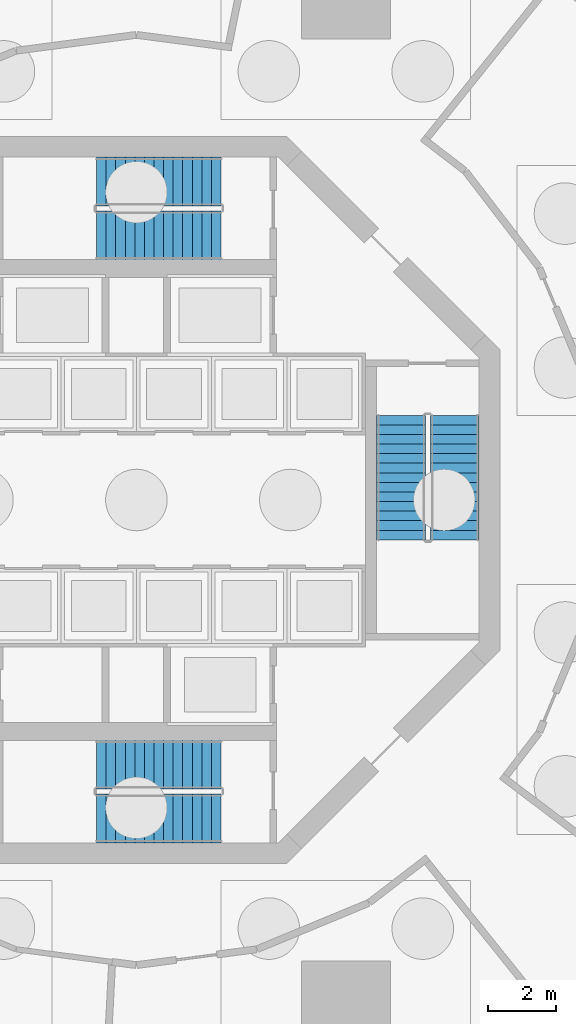
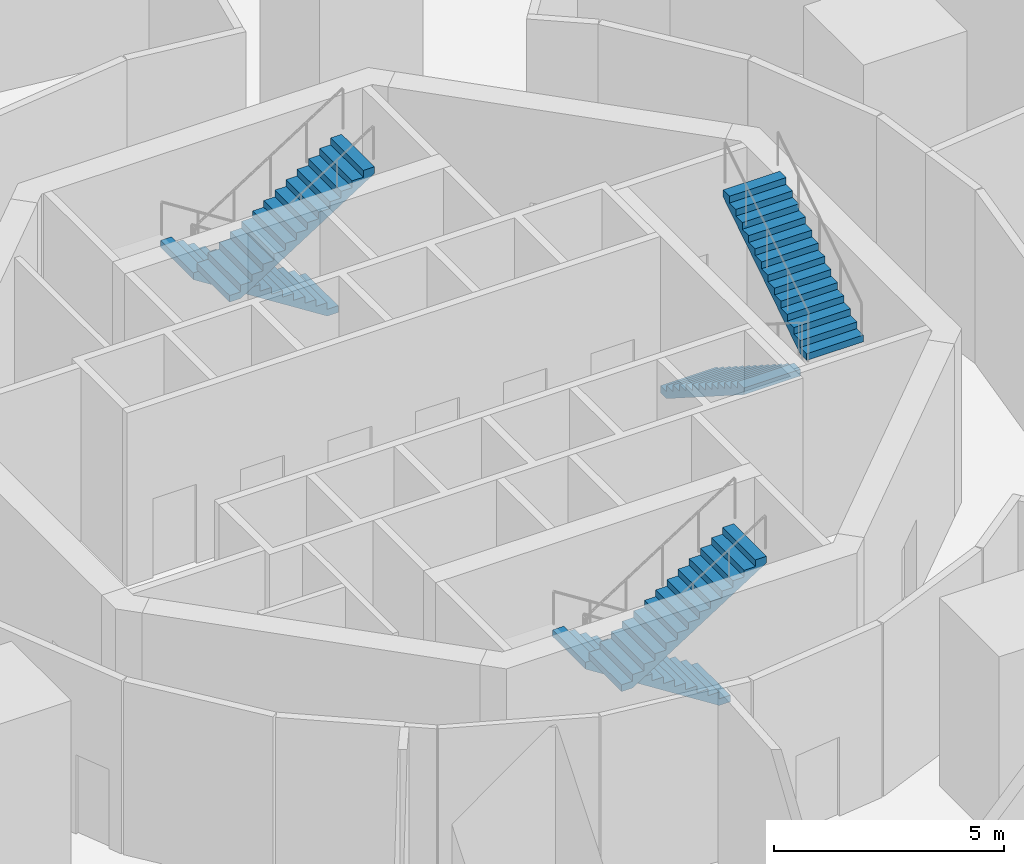
# One storey, part 11 of 14: 6 stair flights, 3 elements without a shape of their own.
"""IFC4 building model written with IfcOpenShell, lengths in metres."""

from ifc_helpers import new_model, si_unit, direction, frame, origin, place, context, subcontext, project, spatial, polyline, outline, extrude, material, type_object, element, aggregate, save


model = new_model("IFC4")

# Units and contexts
model_context = context("Model", 3, precision=1e-05, world=origin(), true_north=direction((0.0, 1.0)))
body_context = subcontext(model_context, "Body", "Model", "MODEL_VIEW")
ifc_project = project(units=[si_unit("LENGTHUNIT", "METRE"), si_unit("AREAUNIT", "SQUARE_METRE"), si_unit("VOLUMEUNIT", "CUBIC_METRE"), si_unit("PLANEANGLEUNIT", "RADIAN"), si_unit("MASSUNIT", "GRAM", prefix="KILO")], contexts=[model_context])

# Site, building, storey
site_placement = place(None, origin())
site = spatial("IfcSite", under=ifc_project, at=site_placement, CompositionType="ELEMENT")
building_placement = place(site_placement, origin())
building = spatial("IfcBuilding", under=site, at=building_placement, Name="Nagisa Residences", CompositionType="ELEMENT")
storey_placement = place(building_placement, frame((0.0, 0.0, -10.0)))
storey = spatial("IfcBuildingStorey", under=building, at=storey_placement, Name="B2", CompositionType="ELEMENT", Elevation=-10.0)

# Stair, stair flights
ifc_material_1 = material(Name="Concrete C60", Category="concrete")
stair_type = type_object("IfcStairType", Name="Exit stair", PredefinedType="HALF_TURN_STAIR", material=ifc_material_1)
stair_1_placement = place(storey_placement, origin())
stair_1 = element("IfcStair", 1, at=stair_1_placement, inside=storey, type_object=stair_type, Name="B2 Exit stair E", PredefinedType="HALF_TURN_STAIR")
ifc_material_2 = material(Name="Concrete C60", Category="concrete")
stair_flight_type = type_object("IfcStairFlightType", Name="Exit stair flight", PredefinedType="STRAIGHT", material=ifc_material_2)
stair_flight_1_placement = place(storey_placement, frame((7.737060546875, 2.47509765625, 0.0), z_axis=(0.0, 0.0, 1.0), x_axis=(0.0, -1.0, 0.0)))
stair_flight_1 = element("IfcStairFlight", 2, at=stair_flight_1_placement, type_object=stair_flight_type, Name="ST-E flight 1", NumberOfRisers=14, NumberOfTreads=13, PredefinedType="STRAIGHT", RiserHeight=0.178571429, TreadLength=0.28, context=body_context, shape_type="SweptSolid", body=[
    extrude(outline(polyline([(0.0, 0.0), (0.0, 0.178466796875), (0.280029296875, 0.178466796875), (0.280029296875, 0.357177734375), (0.56005859375, 0.357177734375), (0.56005859375, 0.53564453125), (0.840087890625, 0.53564453125), (0.840087890625, 0.71435546875), (1.1201171875, 0.71435546875), (1.1201171875, 0.892822265625), (1.39990234375, 0.892822265625), (1.39990234375, 1.071533203125), (1.679931640625, 1.071533203125), (1.679931640625, 1.25), (1.9599609375, 1.25), (1.9599609375, 1.428466796875), (2.239990234375, 1.428466796875), (2.239990234375, 1.607177734375), (2.52001953125, 1.607177734375), (2.52001953125, 1.78564453125), (2.800048828125, 1.78564453125), (2.800048828125, 1.96435546875), (3.080078125, 1.96435546875), (3.080078125, 2.142822265625), (3.360107421875, 2.142822265625), (3.360107421875, 2.321533203125), (3.639892578125, 2.321533203125), (3.639892578125, 2.5), (3.639892578125, 2.1435546875), (0.27880859375, 0.0), (0.0, 0.0)])), frame((0.0, 0.71240234375, 0.0), z_axis=(0.0, -1.0, 0.0), x_axis=(1.0, 0.0, 0.0)), (0.0, 0.0, 1.0), 1.425048828125),
])
stair_flight_2_placement = place(storey_placement, frame((9.31201171875, -1.1650390625, 2.5), z_axis=(0.0, 0.0, 1.0), x_axis=(0.0, 1.0, 0.0)))
stair_flight_2 = element("IfcStairFlight", 3, at=stair_flight_2_placement, type_object=stair_flight_type, Name="ST-E flight 2", NumberOfRisers=14, NumberOfTreads=13, PredefinedType="STRAIGHT", RiserHeight=0.178571429, TreadLength=0.28, context=body_context, shape_type="SweptSolid", body=[
    extrude(outline(polyline([(0.0, 0.0), (0.0, 0.178466796875), (0.280029296875, 0.178466796875), (0.280029296875, 0.357177734375), (0.56005859375, 0.357177734375), (0.56005859375, 0.53564453125), (0.840087890625, 0.53564453125), (0.840087890625, 0.71435546875), (1.1201171875, 0.71435546875), (1.1201171875, 0.892822265625), (1.39990234375, 0.892822265625), (1.39990234375, 1.071533203125), (1.679931640625, 1.071533203125), (1.679931640625, 1.25), (1.9599609375, 1.25), (1.9599609375, 1.428466796875), (2.239990234375, 1.428466796875), (2.239990234375, 1.607177734375), (2.52001953125, 1.607177734375), (2.52001953125, 1.78564453125), (2.800048828125, 1.78564453125), (2.800048828125, 1.96435546875), (3.080078125, 1.96435546875), (3.080078125, 2.142822265625), (3.360107421875, 2.142822265625), (3.360107421875, 2.321533203125), (3.639892578125, 2.321533203125), (3.639892578125, 2.5), (3.639892578125, 2.1435546875), (0.27880859375, 0.0), (0.0, 0.0)])), frame((0.0, 0.71240234375, 0.0), z_axis=(0.0, -1.0, 0.0), x_axis=(1.0, 0.0, 0.0)), (0.0, 0.0, 1.0), 1.425048828125),
])
aggregate(stair_1, [stair_flight_1, stair_flight_2])

stair_2_placement = place(storey_placement, origin())
stair_2 = element("IfcStair", 4, at=stair_2_placement, inside=storey, type_object=stair_type, Name="B2 Exit stair N", PredefinedType="HALF_TURN_STAIR")
stair_flight_3_placement = place(storey_placement, frame((2.47509765625, 9.31201171875, 0.0), z_axis=(0.0, 0.0, 1.0), x_axis=(-1.0, 0.0, 0.0)))
stair_flight_3 = element("IfcStairFlight", 5, at=stair_flight_3_placement, type_object=stair_flight_type, Name="ST-N flight 1", NumberOfRisers=14, NumberOfTreads=13, PredefinedType="STRAIGHT", RiserHeight=0.178571429, TreadLength=0.28, context=body_context, shape_type="SweptSolid", body=[
    extrude(outline(polyline([(0.0, 0.0), (0.0, 0.178466796875), (0.280029296875, 0.178466796875), (0.280029296875, 0.357177734375), (0.56005859375, 0.357177734375), (0.56005859375, 0.53564453125), (0.840087890625, 0.53564453125), (0.840087890625, 0.71435546875), (1.1201171875, 0.71435546875), (1.1201171875, 0.892822265625), (1.39990234375, 0.892822265625), (1.39990234375, 1.071533203125), (1.679931640625, 1.071533203125), (1.679931640625, 1.25), (1.9599609375, 1.25), (1.9599609375, 1.428466796875), (2.239990234375, 1.428466796875), (2.239990234375, 1.607177734375), (2.52001953125, 1.607177734375), (2.52001953125, 1.78564453125), (2.800048828125, 1.78564453125), (2.800048828125, 1.96435546875), (3.080078125, 1.96435546875), (3.080078125, 2.142822265625), (3.360107421875, 2.142822265625), (3.360107421875, 2.321533203125), (3.639892578125, 2.321533203125), (3.639892578125, 2.5), (3.639892578125, 2.1435546875), (0.27880859375, 0.0), (0.0, 0.0)])), frame((0.0, 0.71240234375, 0.0), z_axis=(0.0, -1.0, 0.0), x_axis=(1.0, 0.0, 0.0)), (0.0, 0.0, 1.0), 1.425048828125),
])
stair_flight_4_placement = place(storey_placement, frame((-1.1650390625, 7.737060546875, 2.5), z_axis=(0.0, 0.0, 1.0), x_axis=(1.0, 0.0, 0.0)))
stair_flight_4 = element("IfcStairFlight", 6, at=stair_flight_4_placement, type_object=stair_flight_type, Name="ST-N flight 2", NumberOfRisers=14, NumberOfTreads=13, PredefinedType="STRAIGHT", RiserHeight=0.178571429, TreadLength=0.28, context=body_context, shape_type="SweptSolid", body=[
    extrude(outline(polyline([(0.0, 0.0), (0.0, 0.178466796875), (0.280029296875, 0.178466796875), (0.280029296875, 0.357177734375), (0.56005859375, 0.357177734375), (0.56005859375, 0.53564453125), (0.840087890625, 0.53564453125), (0.840087890625, 0.71435546875), (1.1201171875, 0.71435546875), (1.1201171875, 0.892822265625), (1.39990234375, 0.892822265625), (1.39990234375, 1.071533203125), (1.679931640625, 1.071533203125), (1.679931640625, 1.25), (1.9599609375, 1.25), (1.9599609375, 1.428466796875), (2.239990234375, 1.428466796875), (2.239990234375, 1.607177734375), (2.52001953125, 1.607177734375), (2.52001953125, 1.78564453125), (2.800048828125, 1.78564453125), (2.800048828125, 1.96435546875), (3.080078125, 1.96435546875), (3.080078125, 2.142822265625), (3.360107421875, 2.142822265625), (3.360107421875, 2.321533203125), (3.639892578125, 2.321533203125), (3.639892578125, 2.5), (3.639892578125, 2.1435546875), (0.27880859375, 0.0), (0.0, 0.0)])), frame((0.0, 0.71240234375, 0.0), z_axis=(0.0, -1.0, 0.0), x_axis=(1.0, 0.0, 0.0)), (0.0, 0.0, 1.0), 1.425048828125),
])
aggregate(stair_2, [stair_flight_3, stair_flight_4])

stair_3_placement = place(storey_placement, origin())
stair_3 = element("IfcStair", 7, at=stair_3_placement, inside=storey, type_object=stair_type, Name="B2 Exit stair S", PredefinedType="HALF_TURN_STAIR")
stair_flight_5_placement = place(storey_placement, frame((2.47509765625, -7.737060546875, 0.0), z_axis=(0.0, 0.0, 1.0), x_axis=(-1.0, 0.0, 0.0)))
stair_flight_5 = element("IfcStairFlight", 8, at=stair_flight_5_placement, type_object=stair_flight_type, Name="ST-S flight 1", NumberOfRisers=14, NumberOfTreads=13, PredefinedType="STRAIGHT", RiserHeight=0.178571429, TreadLength=0.28, context=body_context, shape_type="SweptSolid", body=[
    extrude(outline(polyline([(0.0, 0.0), (0.0, 0.178466796875), (0.280029296875, 0.178466796875), (0.280029296875, 0.357177734375), (0.56005859375, 0.357177734375), (0.56005859375, 0.53564453125), (0.840087890625, 0.53564453125), (0.840087890625, 0.71435546875), (1.1201171875, 0.71435546875), (1.1201171875, 0.892822265625), (1.39990234375, 0.892822265625), (1.39990234375, 1.071533203125), (1.679931640625, 1.071533203125), (1.679931640625, 1.25), (1.9599609375, 1.25), (1.9599609375, 1.428466796875), (2.239990234375, 1.428466796875), (2.239990234375, 1.607177734375), (2.52001953125, 1.607177734375), (2.52001953125, 1.78564453125), (2.800048828125, 1.78564453125), (2.800048828125, 1.96435546875), (3.080078125, 1.96435546875), (3.080078125, 2.142822265625), (3.360107421875, 2.142822265625), (3.360107421875, 2.321533203125), (3.639892578125, 2.321533203125), (3.639892578125, 2.5), (3.639892578125, 2.1435546875), (0.27880859375, 0.0), (0.0, 0.0)])), frame((0.0, 0.71240234375, 0.0), z_axis=(0.0, -1.0, 0.0), x_axis=(1.0, 0.0, 0.0)), (0.0, 0.0, 1.0), 1.425048828125),
])
stair_flight_6_placement = place(storey_placement, frame((-1.1650390625, -9.31201171875, 2.5), z_axis=(0.0, 0.0, 1.0), x_axis=(1.0, 0.0, 0.0)))
stair_flight_6 = element("IfcStairFlight", 9, at=stair_flight_6_placement, type_object=stair_flight_type, Name="ST-S flight 2", NumberOfRisers=14, NumberOfTreads=13, PredefinedType="STRAIGHT", RiserHeight=0.178571429, TreadLength=0.28, context=body_context, shape_type="SweptSolid", body=[
    extrude(outline(polyline([(0.0, 0.0), (0.0, 0.178466796875), (0.280029296875, 0.178466796875), (0.280029296875, 0.357177734375), (0.56005859375, 0.357177734375), (0.56005859375, 0.53564453125), (0.840087890625, 0.53564453125), (0.840087890625, 0.71435546875), (1.1201171875, 0.71435546875), (1.1201171875, 0.892822265625), (1.39990234375, 0.892822265625), (1.39990234375, 1.071533203125), (1.679931640625, 1.071533203125), (1.679931640625, 1.25), (1.9599609375, 1.25), (1.9599609375, 1.428466796875), (2.239990234375, 1.428466796875), (2.239990234375, 1.607177734375), (2.52001953125, 1.607177734375), (2.52001953125, 1.78564453125), (2.800048828125, 1.78564453125), (2.800048828125, 1.96435546875), (3.080078125, 1.96435546875), (3.080078125, 2.142822265625), (3.360107421875, 2.142822265625), (3.360107421875, 2.321533203125), (3.639892578125, 2.321533203125), (3.639892578125, 2.5), (3.639892578125, 2.1435546875), (0.27880859375, 0.0), (0.0, 0.0)])), frame((0.0, 0.71240234375, 0.0), z_axis=(0.0, -1.0, 0.0), x_axis=(1.0, 0.0, 0.0)), (0.0, 0.0, 1.0), 1.425048828125),
])
aggregate(stair_3, [stair_flight_5, stair_flight_6])

save(model, "model.ifc")
